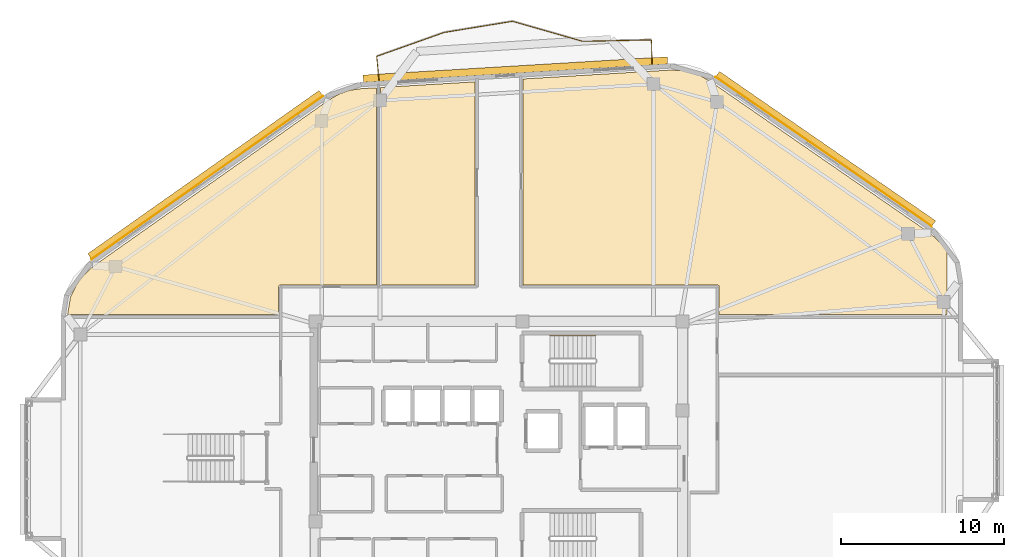
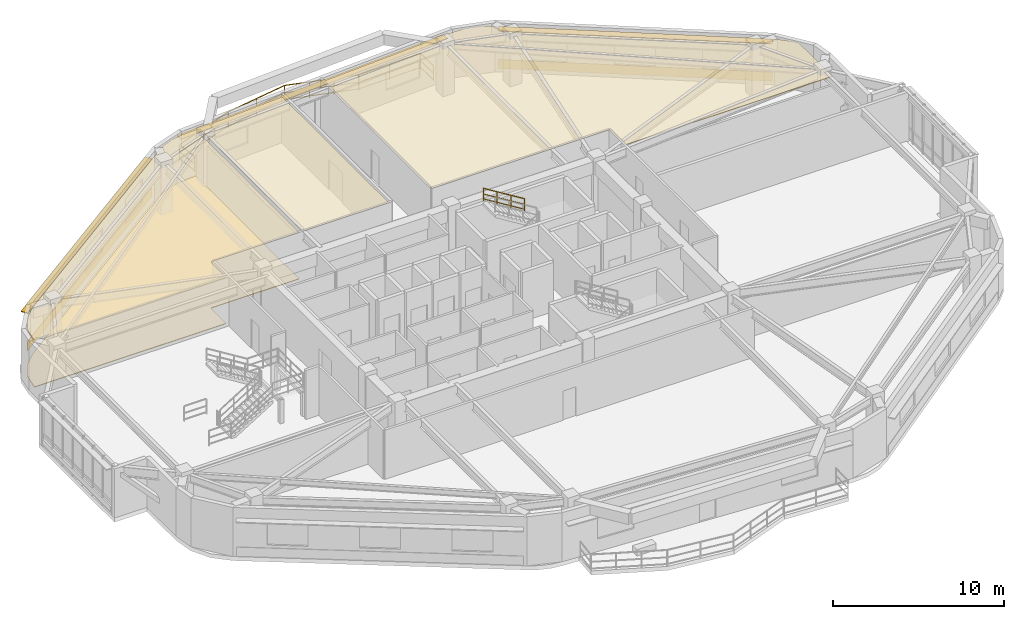
# One storey, part 18 of 18: 7 railings, 6 coverings, 3 shading devices.
"""IFC4 building model written with IfcOpenShell, lengths in metres."""

from ifc_helpers import new_model, si_unit, direction, frame, origin, origin_2d, place, context, subcontext, project, spatial, polyline, rectangle, outline, extrude, material, layer, layer_set, type_object, element, save


model = new_model("IFC4")

# Units and contexts
model_context = context("Model", 3, precision=1e-05, world=origin(), true_north=direction((0.0, 1.0)))
body_context = subcontext(model_context, "Body", "Model", "MODEL_VIEW")
ifc_project = project(units=[si_unit("LENGTHUNIT", "METRE"), si_unit("AREAUNIT", "SQUARE_METRE"), si_unit("VOLUMEUNIT", "CUBIC_METRE"), si_unit("PLANEANGLEUNIT", "RADIAN"), si_unit("MASSUNIT", "GRAM", prefix="KILO")], contexts=[model_context])

# Site, building, storey
site_placement = place(None, origin())
site = spatial("IfcSite", under=ifc_project, at=site_placement, CompositionType="ELEMENT")
building_placement = place(site_placement, origin())
building = spatial("IfcBuilding", under=site, at=building_placement, Name="Zulverin Broadcast Headquarters", CompositionType="ELEMENT")
storey_placement = place(building_placement, frame((0.0, 0.0, 225.0)))
storey = spatial("IfcBuildingStorey", under=building, at=storey_placement, Name="L57", CompositionType="ELEMENT", Elevation=225.0)

# Coverings
ifc_material_1 = material(Name="Perforated pale-metal acoustic baffle ceiling", Category="aluminium")
ifc_layer_1 = layer(ifc_material_1, 0.0400390625, Name="Perforated pale-metal acoustic baffle ceiling", Category="aluminium")
ifc_layer_set_1 = layer_set([ifc_layer_1], Name="Perforated pale-metal acoustic baffle ceiling")
covering_type_1 = type_object("IfcCoveringType", Name="COV-CEIL-ACOU", PredefinedType="CEILING", material=ifc_layer_set_1)
covering_1_placement = place(storey_placement, frame((0.0, 0.0, 3.330078125)))
element("IfcCovering", 1, at=covering_1_placement, inside=storey, type_object=covering_type_1, Name="L57 Acoustic Baffle Ceiling 01", PredefinedType="CEILING", context=body_context, shape_type="SweptSolid", body=[
    extrude(outline(polyline([(12.092041015625, 36.468017578125), (11.22802734375, 35.6240234375), (10.69189453125, 34.580078125), (10.51611328125, 33.5), (23.47998046875, 33.5), (23.47998046875, 35.199951171875), (23.47998046875, 35.2119140625), (23.48388671875, 35.22412109375), (23.48388671875, 35.236083984375), (23.488037109375, 35.243896484375), (23.49609375, 35.256103515625), (23.5, 35.26806640625), (23.508056640625, 35.27587890625), (23.51611328125, 35.283935546875), (23.52392578125, 35.2919921875), (23.531982421875, 35.300048828125), (23.5439453125, 35.303955078125), (23.555908203125, 35.31201171875), (23.56396484375, 35.31591796875), (23.575927734375, 35.31591796875), (23.587890625, 35.320068359375), (23.60009765625, 35.320068359375), (29.47998046875, 35.320068359375), (29.47998046875, 47.427978515625), (28.52392578125, 47.3720703125), (27.827880859375, 47.26806640625), (27.18798828125, 47.0400390625), (26.575927734375, 46.69189453125), (12.092041015625, 36.468017578125)])), origin(), (0.0, 0.0, 1.0), 0.0400390625),
])
covering_2_placement = place(storey_placement, frame((0.0, 0.0, 3.330078125)))
element("IfcCovering", 2, at=covering_2_placement, inside=storey, type_object=covering_type_1, Name="L57 Acoustic Baffle Ceiling 02", PredefinedType="CEILING", context=body_context, shape_type="SweptSolid", body=[
    extrude(outline(polyline([(35.531982421875, 35.320068359375), (35.531982421875, 47.7919921875), (29.719970703125, 47.444091796875), (29.719970703125, 35.320068359375), (35.531982421875, 35.320068359375)])), origin(), (0.0, 0.0, 1.0), 0.0400390625),
])
covering_3_placement = place(storey_placement, frame((0.0, 0.0, 3.330078125)))
element("IfcCovering", 3, at=covering_3_placement, inside=storey, type_object=covering_type_1, Name="L57 Acoustic Baffle Ceiling 03", PredefinedType="CEILING", context=body_context, shape_type="SweptSolid", body=[
    extrude(outline(polyline([(47.56005859375, 48.51611328125), (38.471923828125, 47.968017578125), (38.471923828125, 35.320068359375), (50.39990234375, 35.320068359375), (50.412109375, 35.320068359375), (50.424072265625, 35.31591796875), (50.43603515625, 35.31591796875), (50.444091796875, 35.31201171875), (50.4560546875, 35.303955078125), (50.468017578125, 35.300048828125), (50.47607421875, 35.2919921875), (50.48388671875, 35.283935546875), (50.491943359375, 35.27587890625), (50.5, 35.26806640625), (50.50390625, 35.256103515625), (50.511962890625, 35.243896484375), (50.51611328125, 35.236083984375), (50.51611328125, 35.22412109375), (50.52001953125, 35.2119140625), (50.52001953125, 35.199951171875), (50.52001953125, 33.5), (64.5, 33.5), (64.5, 37.364013671875), (64.35595703125, 37.64404296875), (63.47607421875, 38.488037109375), (49.924072265625, 47.85205078125), (49.18798828125, 48.251953125), (48.39599609375, 48.471923828125), (47.56005859375, 48.51611328125)])), origin(), (0.0, 0.0, 1.0), 0.0400390625),
])
ifc_material_2 = material(Name="Brushed pale-aluminium rainscreen cladding", Category="aluminium")
ifc_layer_2 = layer(ifc_material_2, 0.0400390625, Name="Brushed pale-aluminium rainscreen cladding", Category="aluminium")
ifc_layer_set_2 = layer_set([ifc_layer_2], Name="Brushed pale-aluminium rainscreen cladding")
covering_type_2 = type_object("IfcCoveringType", Name="COV-CLAD-PALE", PredefinedType="CLADDING", material=ifc_layer_set_2)
covering_4_placement = place(storey_placement, frame((56.938232421875, 43.505126953125, 0.054931640625), z_axis=(0.0, 0.0, 1.0), x_axis=(-0.822655402653, 0.568540313861, 0.0)))
element("IfcCovering", 4, at=covering_4_placement, inside=storey, type_object=covering_type_2, Name="L57 Brushed Pale-Aluminium Spandrel Cladding 4", PredefinedType="CLADDING", context=body_context, shape_type="SweptSolid", body=[
    extrude(rectangle(XDim=16.1279296875, YDim=0.0400390625, at=origin_2d()), origin(), (0.0, 0.0, 1.0), 0.64990234375),
])
covering_5_placement = place(storey_placement, frame((19.093505859375, 41.9091796875, 0.054931640625), z_axis=(0.0, 0.0, 1.0), x_axis=(-0.817023146348, -0.576604871929, 0.0)))
element("IfcCovering", 5, at=covering_5_placement, inside=storey, type_object=covering_type_2, Name="L57 Brushed Pale-Aluminium Spandrel Cladding 6", PredefinedType="CLADDING", context=body_context, shape_type="SweptSolid", body=[
    extrude(rectangle(XDim=17.3798828125, YDim=0.0400390625, at=origin_2d()), origin(), (0.0, 0.0, 1.0), 0.64990234375),
])
ifc_material_3 = material(Name="Anti-static broadcast raised access flooring", Category="stone")
ifc_layer_3 = layer(ifc_material_3, 0.050048828125, Name="Anti-static broadcast raised access flooring", Category="stone")
ifc_layer_set_3 = layer_set([ifc_layer_3], Name="Anti-static broadcast raised access flooring")
covering_type_3 = type_object("IfcCoveringType", Name="COV-FLR-RAISED", PredefinedType="FLOORING", material=ifc_layer_set_3)
covering_6_placement = place(storey_placement, origin())
element("IfcCovering", 6, at=covering_6_placement, inside=storey, type_object=covering_type_3, Name="L57 Broadcast Raised Access Flooring 01", PredefinedType="FLOORING", context=body_context, shape_type="SweptSolid", body=[
    extrude(outline(polyline([(12.092041015625, 36.468017578125), (11.22802734375, 35.6240234375), (10.69189453125, 34.580078125), (10.51611328125, 33.5), (23.47998046875, 33.5), (23.47998046875, 35.199951171875), (23.47998046875, 35.2119140625), (23.48388671875, 35.22412109375), (23.48388671875, 35.236083984375), (23.488037109375, 35.243896484375), (23.49609375, 35.256103515625), (23.5, 35.26806640625), (23.508056640625, 35.27587890625), (23.51611328125, 35.283935546875), (23.52392578125, 35.2919921875), (23.531982421875, 35.300048828125), (23.5439453125, 35.303955078125), (23.555908203125, 35.31201171875), (23.56396484375, 35.31591796875), (23.575927734375, 35.31591796875), (23.587890625, 35.320068359375), (23.60009765625, 35.320068359375), (29.47998046875, 35.320068359375), (29.47998046875, 47.427978515625), (28.52392578125, 47.3720703125), (27.827880859375, 47.26806640625), (27.18798828125, 47.0400390625), (26.575927734375, 46.69189453125), (12.092041015625, 36.468017578125)])), origin(), (0.0, 0.0, 1.0), 0.050048828125),
])

# Railings
ifc_material_4 = material(Name="Brushed stainless steel & laminated glass balustrade", Category="steel")
railing_type_1 = type_object("IfcRailingType", Name="RL-GUARD-1150", PredefinedType="GUARDRAIL", material=ifc_material_4)
railing_1_placement = place(storey_placement, frame((46.397216796875, 48.885498046875, 0.0)))
element("IfcRailing", 7, at=railing_1_placement, inside=storey, type_object=railing_type_1, Name="L57 Vertical-Forest Balcony Guardrail BAL_N Segment 01", PredefinedType="GUARDRAIL", context=body_context, shape_type="SweptSolid", body=[
    extrude(rectangle(XDim=0.048095703125, YDim=0.048095703125, at=origin_2d()), frame((0.0, 0.0, 1.1259765625), z_axis=(-0.019480066399, 0.999810245503, 0.0), x_axis=(-0.999810245503, -0.019480066399, 0.0)), (0.0, 0.0, 1.0), 1.46630859375),
    extrude(rectangle(XDim=0.0419921875, YDim=0.0419921875, at=origin_2d()), frame((0.0, 0.0, 0.597900390625), z_axis=(-0.019480066399, 0.999810245503, 0.0), x_axis=(-0.999810245503, -0.019480066399, 0.0)), (0.0, 0.0, 1.0), 1.46630859375),
    extrude(rectangle(XDim=0.0419921875, YDim=0.0419921875, at=origin_2d()), frame((0.0, 0.0, 0.1201171875), z_axis=(-0.019480066399, 0.999810245503, 0.0), x_axis=(-0.999810245503, -0.019480066399, 0.0)), (0.0, 0.0, 1.0), 1.46630859375),
    extrude(rectangle(XDim=0.0419921875, YDim=0.0419921875, at=origin_2d()), origin(), (0.0, 0.0, 1.0), 1.101806640625),
    extrude(rectangle(XDim=0.0419921875, YDim=0.0419921875, at=origin_2d()), frame((-0.028564453125, 1.466064453125, 0.0)), (0.0, 0.0, 1.0), 1.101806640625),
])
railing_2_placement = place(storey_placement, frame((46.353271484375, 50.3662109375, 0.0)))
element("IfcRailing", 8, at=railing_2_placement, inside=storey, type_object=railing_type_1, Name="L57 Vertical-Forest Balcony Guardrail BAL_N Segment 02", PredefinedType="GUARDRAIL", context=body_context, shape_type="SweptSolid", body=[
    extrude(rectangle(XDim=0.048095703125, YDim=0.048095703125, at=origin_2d()), frame((0.0, 0.0, 1.1259765625), z_axis=(-0.999774990552, -0.021212455476, 0.0), x_axis=(0.021212455476, -0.999774990552, 0.0)), (0.0, 0.0, 1.0), 4.200927734375),
    extrude(rectangle(XDim=0.0419921875, YDim=0.0419921875, at=origin_2d()), frame((0.0, 0.0, 0.597900390625), z_axis=(-0.999774990552, -0.021212455476, 0.0), x_axis=(0.021212455476, -0.999774990552, 0.0)), (0.0, 0.0, 1.0), 4.200927734375),
    extrude(rectangle(XDim=0.0419921875, YDim=0.0419921875, at=origin_2d()), frame((0.0, 0.0, 0.1201171875), z_axis=(-0.999774990552, -0.021212455476, 0.0), x_axis=(0.021212455476, -0.999774990552, 0.0)), (0.0, 0.0, 1.0), 4.200927734375),
    extrude(rectangle(XDim=0.0419921875, YDim=0.0419921875, at=origin_2d()), origin(), (0.0, 0.0, 1.0), 1.101806640625),
    extrude(rectangle(XDim=0.0419921875, YDim=0.0419921875, at=origin_2d()), frame((-2.10009765625, -0.04443359375, 0.0)), (0.0, 0.0, 1.0), 1.101806640625),
    extrude(rectangle(XDim=0.0419921875, YDim=0.0419921875, at=origin_2d()), frame((-4.199951171875, -0.089111328125, 0.0)), (0.0, 0.0, 1.0), 1.101806640625),
])
railing_3_placement = place(storey_placement, frame((42.1240234375, 50.281005859375, 0.0)))
element("IfcRailing", 9, at=railing_3_placement, inside=storey, type_object=railing_type_1, Name="L57 Vertical-Forest Balcony Guardrail BAL_N Segment 03", PredefinedType="GUARDRAIL", context=body_context, shape_type="SweptSolid", body=[
    extrude(rectangle(XDim=0.048095703125, YDim=0.048095703125, at=origin_2d()), frame((0.0, 0.0, 1.1259765625), z_axis=(-0.961559121941, 0.274597987997, 0.0), x_axis=(-0.274597987997, -0.961559121941, 0.0)), (0.0, 0.0, 1.0), 4.45166015625),
    extrude(rectangle(XDim=0.0419921875, YDim=0.0419921875, at=origin_2d()), frame((0.0, 0.0, 0.597900390625), z_axis=(-0.961559121941, 0.274597987997, 0.0), x_axis=(-0.274597987997, -0.961559121941, 0.0)), (0.0, 0.0, 1.0), 4.45166015625),
    extrude(rectangle(XDim=0.0419921875, YDim=0.0419921875, at=origin_2d()), frame((0.0, 0.0, 0.1201171875), z_axis=(-0.961559121941, 0.274597987997, 0.0), x_axis=(-0.274597987997, -0.961559121941, 0.0)), (0.0, 0.0, 1.0), 4.45166015625),
    extrude(rectangle(XDim=0.0419921875, YDim=0.0419921875, at=origin_2d()), origin(), (0.0, 0.0, 1.0), 1.101806640625),
    extrude(rectangle(XDim=0.0419921875, YDim=0.0419921875, at=origin_2d()), frame((-1.4267578125, 0.407470703125, 0.0)), (0.0, 0.0, 1.0), 1.101806640625),
    extrude(rectangle(XDim=0.0419921875, YDim=0.0419921875, at=origin_2d()), frame((-2.853759765625, 0.81494140625, 0.0)), (0.0, 0.0, 1.0), 1.101806640625),
    extrude(rectangle(XDim=0.0419921875, YDim=0.0419921875, at=origin_2d()), frame((-4.280517578125, 1.222412109375, 0.0)), (0.0, 0.0, 1.0), 1.101806640625),
])
railing_4_placement = place(storey_placement, frame((37.814453125, 51.505126953125, 0.0)))
element("IfcRailing", 10, at=railing_4_placement, inside=storey, type_object=railing_type_1, Name="L57 Vertical-Forest Balcony Guardrail BAL_N Segment 04", PredefinedType="GUARDRAIL", context=body_context, shape_type="SweptSolid", body=[
    extrude(rectangle(XDim=0.048095703125, YDim=0.048095703125, at=origin_2d()), frame((0.0, 0.0, 1.1259765625), z_axis=(-0.986952588765, -0.161011141013, 0.0), x_axis=(0.161011141013, -0.986952588765, 0.0)), (0.0, 0.0, 1.0), 4.219970703125),
    extrude(rectangle(XDim=0.0419921875, YDim=0.0419921875, at=origin_2d()), frame((0.0, 0.0, 0.597900390625), z_axis=(-0.986952588765, -0.161011141013, 0.0), x_axis=(0.161011141013, -0.986952588765, 0.0)), (0.0, 0.0, 1.0), 4.219970703125),
    extrude(rectangle(XDim=0.0419921875, YDim=0.0419921875, at=origin_2d()), frame((0.0, 0.0, 0.1201171875), z_axis=(-0.986952588765, -0.161011141013, 0.0), x_axis=(0.161011141013, -0.986952588765, 0.0)), (0.0, 0.0, 1.0), 4.219970703125),
    extrude(rectangle(XDim=0.0419921875, YDim=0.0419921875, at=origin_2d()), origin(), (0.0, 0.0, 1.0), 1.101806640625),
    extrude(rectangle(XDim=0.0419921875, YDim=0.0419921875, at=origin_2d()), frame((-2.08251953125, -0.33984375, 0.0)), (0.0, 0.0, 1.0), 1.101806640625),
    extrude(rectangle(XDim=0.0419921875, YDim=0.0419921875, at=origin_2d()), frame((-4.164794921875, -0.679443359375, 0.0)), (0.0, 0.0, 1.0), 1.101806640625),
])
railing_5_placement = place(storey_placement, frame((33.620849609375, 50.818115234375, 0.0)))
element("IfcRailing", 11, at=railing_5_placement, inside=storey, type_object=railing_type_1, Name="L57 Vertical-Forest Balcony Guardrail BAL_N Segment 05", PredefinedType="GUARDRAIL", context=body_context, shape_type="SweptSolid", body=[
    extrude(rectangle(XDim=0.048095703125, YDim=0.048095703125, at=origin_2d()), frame((0.0, 0.0, 1.1259765625), z_axis=(-0.942541852494, -0.33408809661, 0.0), x_axis=(0.33408809661, -0.942541852494, 0.0)), (0.0, 0.0, 1.0), 4.369873046875),
    extrude(rectangle(XDim=0.0419921875, YDim=0.0419921875, at=origin_2d()), frame((0.0, 0.0, 0.597900390625), z_axis=(-0.942541852494, -0.33408809661, 0.0), x_axis=(0.33408809661, -0.942541852494, 0.0)), (0.0, 0.0, 1.0), 4.369873046875),
    extrude(rectangle(XDim=0.0419921875, YDim=0.0419921875, at=origin_2d()), frame((0.0, 0.0, 0.1201171875), z_axis=(-0.942541852494, -0.33408809661, 0.0), x_axis=(0.33408809661, -0.942541852494, 0.0)), (0.0, 0.0, 1.0), 4.369873046875),
    extrude(rectangle(XDim=0.0419921875, YDim=0.0419921875, at=origin_2d()), origin(), (0.0, 0.0, 1.0), 1.101806640625),
    extrude(rectangle(XDim=0.0419921875, YDim=0.0419921875, at=origin_2d()), frame((-2.0595703125, -0.72998046875, 0.0)), (0.0, 0.0, 1.0), 1.101806640625),
    extrude(rectangle(XDim=0.0419921875, YDim=0.0419921875, at=origin_2d()), frame((-4.118896484375, -1.4599609375, 0.0)), (0.0, 0.0, 1.0), 1.101806640625),
])
railing_6_placement = place(storey_placement, frame((29.489501953125, 49.338134765625, 0.0)))
element("IfcRailing", 12, at=railing_6_placement, inside=storey, type_object=railing_type_1, Name="L57 Vertical-Forest Balcony Guardrail BAL_N Segment 06", PredefinedType="GUARDRAIL", context=body_context, shape_type="SweptSolid", body=[
    extrude(rectangle(XDim=0.048095703125, YDim=0.048095703125, at=origin_2d()), frame((0.0, 0.0, 1.1259765625), z_axis=(0.100245616419, -0.994962721105, 0.0), x_axis=(0.994962721105, 0.100245616419, 0.0)), (0.0, 0.0, 1.0), 1.466064453125),
    extrude(rectangle(XDim=0.0419921875, YDim=0.0419921875, at=origin_2d()), frame((0.0, 0.0, 0.597900390625), z_axis=(0.100245616419, -0.994962721105, 0.0), x_axis=(0.994962721105, 0.100245616419, 0.0)), (0.0, 0.0, 1.0), 1.466064453125),
    extrude(rectangle(XDim=0.0419921875, YDim=0.0419921875, at=origin_2d()), frame((0.0, 0.0, 0.1201171875), z_axis=(0.100245616419, -0.994962721105, 0.0), x_axis=(0.994962721105, 0.100245616419, 0.0)), (0.0, 0.0, 1.0), 1.466064453125),
    extrude(rectangle(XDim=0.0419921875, YDim=0.0419921875, at=origin_2d()), origin(), (0.0, 0.0, 1.0), 1.101806640625),
    extrude(rectangle(XDim=0.0419921875, YDim=0.0419921875, at=origin_2d()), frame((0.14697265625, -1.458740234375, 0.0)), (0.0, 0.0, 1.0), 1.101806640625),
])
ifc_material_5 = material(Name="Brushed stainless steel 48 mm handrail", Category="steel")
railing_type_2 = type_object("IfcRailingType", Name="RL-ST-HAND", PredefinedType="HANDRAIL", material=ifc_material_5)
railing_7_placement = place(storey_placement, frame((42.929931640625, 32.199951171875, 2.07275390625)))
element("IfcRailing", 13, at=railing_7_placement, inside=storey, type_object=railing_type_2, Name="L57 ST-1 stair handrail 2", PredefinedType="HANDRAIL", context=body_context, shape_type="SweptSolid", body=[
    extrude(rectangle(XDim=0.048095703125, YDim=0.048095703125, at=origin_2d()), frame((0.0, 0.0, 0.8759765625), z_axis=(-0.851089632645, 0.0, 0.525020415988), x_axis=(0.0, -1.0, 0.0)), (0.0, 0.0, 1.0), 3.2900390625),
    extrude(rectangle(XDim=0.0419921875, YDim=0.0419921875, at=origin_2d()), frame((0.0, 0.0, 0.468017578125), z_axis=(-0.851089632645, 0.0, 0.525020415988), x_axis=(0.0, -1.0, 0.0)), (0.0, 0.0, 1.0), 3.2900390625),
    extrude(rectangle(XDim=0.0419921875, YDim=0.0419921875, at=origin_2d()), frame((0.0, 0.0, 0.1201171875), z_axis=(-0.851089632645, 0.0, 0.525020415988), x_axis=(0.0, -1.0, 0.0)), (0.0, 0.0, 1.0), 3.2900390625),
    extrude(rectangle(XDim=0.0419921875, YDim=0.0419921875, at=origin_2d()), origin(), (0.0, 0.0, 1.0), 0.851806640625),
    extrude(rectangle(XDim=0.0419921875, YDim=0.0419921875, at=origin_2d()), frame((-0.933349609375, 0.0, 0.57568359375)), (0.0, 0.0, 1.0), 0.851806640625),
    extrude(rectangle(XDim=0.0419921875, YDim=0.0419921875, at=origin_2d()), frame((-1.86669921875, 0.0, 1.151611328125)), (0.0, 0.0, 1.0), 0.851806640625),
    extrude(rectangle(XDim=0.0419921875, YDim=0.0419921875, at=origin_2d()), frame((-2.800048828125, 0.0, 1.727294921875)), (0.0, 0.0, 1.0), 0.851806640625),
])

# Shading devices
ifc_material_6 = material(Name="Anodized pale-metal aluminium sunshade", Category="aluminium")
ifc_layer_4 = layer(ifc_material_6, 0.06005859375, Name="Anodized pale-metal aluminium sunshade", Category="aluminium")
ifc_layer_set_4 = layer_set([ifc_layer_4], Name="Anodized pale-metal aluminium sunshade")
shading_device_type = type_object("IfcShadingDeviceType", Name="SS-01_PALE_METAL_ALUMINIUM_SUNSHADE", PredefinedType="USERDEFINED", material=ifc_layer_set_4)
shading_device_1_placement = place(storey_placement, frame((57.04638671875, 43.66162109375, 2.7099609375), z_axis=(0.0, 0.0, 1.0), x_axis=(-0.822655402653, 0.568540313861, 0.0)))
element("IfcShadingDevice", 14, at=shading_device_1_placement, inside=storey, type_object=shading_device_type, Name="L57 Horizontal Pale-Metal Sunshade Band 4", ObjectType="SUNSHADE", PredefinedType="USERDEFINED", context=body_context, shape_type="SweptSolid", body=[
    extrude(rectangle(XDim=16.1279296875, YDim=0.449951171875, at=origin_2d()), origin(), (0.0, 0.0, 1.0), 0.06005859375),
])
shading_device_2_placement = place(storey_placement, frame((38.007080078125, 48.542236328125, 2.7099609375), z_axis=(0.0, 0.0, 1.0), x_axis=(-0.99820257679, -0.059930090026, 0.0)))
element("IfcShadingDevice", 15, at=shading_device_2_placement, inside=storey, type_object=shading_device_type, Name="L57 Horizontal Pale-Metal Sunshade Band 5", ObjectType="SUNSHADE", PredefinedType="USERDEFINED", context=body_context, shape_type="SweptSolid", body=[
    extrude(rectangle(XDim=18.710693359375, YDim=0.449951171875, at=origin_2d()), origin(), (0.0, 0.0, 1.0), 0.06005859375),
])
shading_device_3_placement = place(storey_placement, frame((18.98388671875, 42.064453125, 2.7099609375), z_axis=(0.0, 0.0, 1.0), x_axis=(-0.817023146348, -0.576604871929, 0.0)))
element("IfcShadingDevice", 16, at=shading_device_3_placement, inside=storey, type_object=shading_device_type, Name="L57 Horizontal Pale-Metal Sunshade Band 6", ObjectType="SUNSHADE", PredefinedType="USERDEFINED", context=body_context, shape_type="SweptSolid", body=[
    extrude(rectangle(XDim=17.3798828125, YDim=0.449951171875, at=origin_2d()), origin(), (0.0, 0.0, 1.0), 0.06005859375),
])

save(model, "model.ifc")
